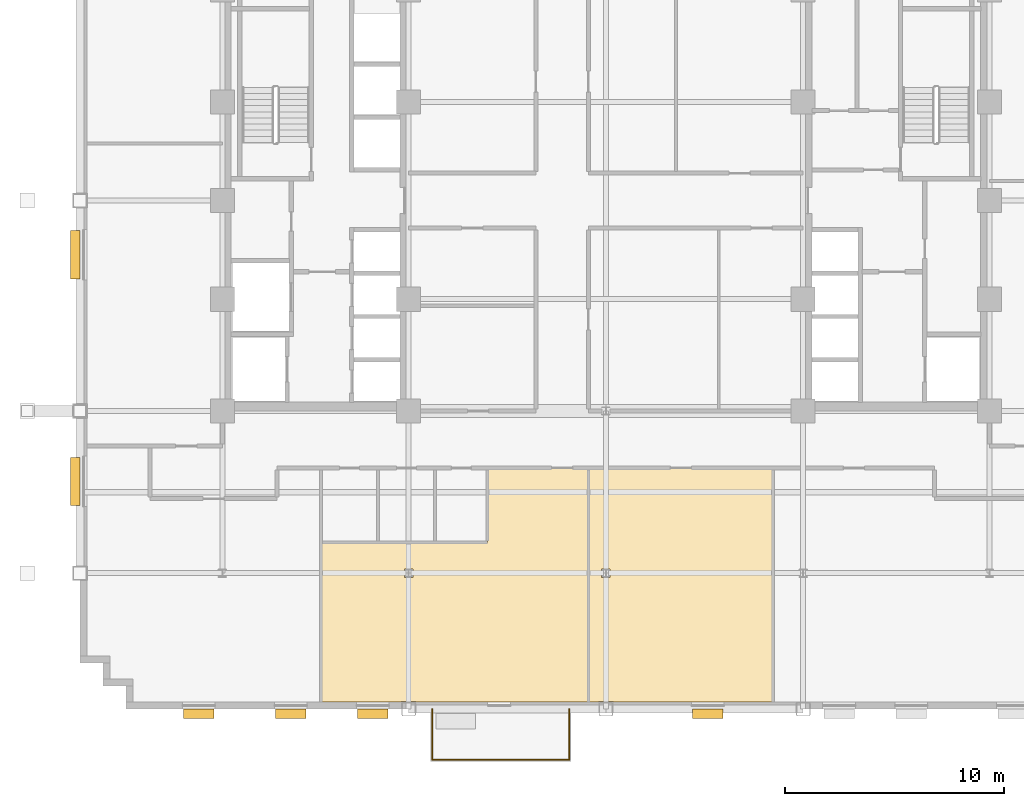
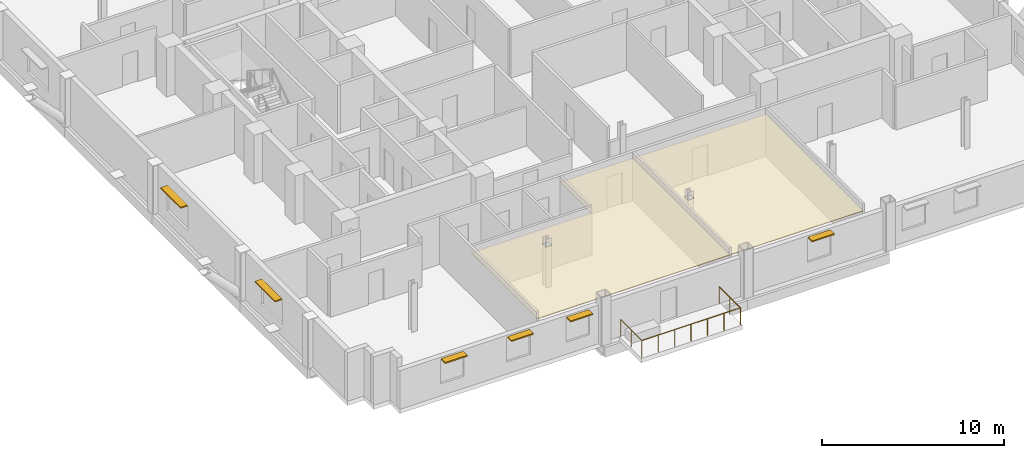
# One storey, part 11 of 14: 6 shading devices, 2 coverings, 1 railing.
"""IFC4 building model written with IfcOpenShell, lengths in metres."""

from ifc_helpers import new_model, si_unit, direction, frame, origin, origin_2d, place, context, subcontext, project, spatial, polyline, rectangle, circle, outline, extrude, source, transform, mapped, material, layer, layer_set, type_object, type_shapes, element, save


model = new_model("IFC4")

# Units and contexts
model_context = context("Model", 3, precision=1e-05, world=origin(), true_north=direction((0.0, 1.0)))
body_context = subcontext(model_context, "Body", "Model", "MODEL_VIEW")
ifc_project = project(units=[si_unit("LENGTHUNIT", "METRE"), si_unit("AREAUNIT", "SQUARE_METRE"), si_unit("VOLUMEUNIT", "CUBIC_METRE"), si_unit("PLANEANGLEUNIT", "RADIAN"), si_unit("MASSUNIT", "GRAM", prefix="KILO")], contexts=[model_context])

# Site, building, storey
site_placement = place(None, origin())
site = spatial("IfcSite", under=ifc_project, at=site_placement, CompositionType="ELEMENT")
building_placement = place(site_placement, origin())
building = spatial("IfcBuilding", under=site, at=building_placement, Name="Nuvemarco Arch Tower", CompositionType="ELEMENT")
storey_placement = place(building_placement, frame((0.0, 0.0, 112.89990234375)))
storey = spatial("IfcBuildingStorey", under=building, at=storey_placement, Name="L29", CompositionType="ELEMENT", Elevation=112.89990234375)

# Coverings
ifc_material_1 = material(Name="Mineral acoustic ceiling tile")
ifc_layer = layer(ifc_material_1, 0.0400390625, Name="COV-ACOUSTIC-CLG")
ifc_layer_set = layer_set([ifc_layer], Name="Mineral acoustic ceiling tile")
covering_type = type_object("IfcCoveringType", Name="COV-ACOUSTIC-CLG", PredefinedType="CEILING", material=ifc_layer_set)
covering_1_placement = place(storey_placement, frame((0.0, 0.0, 2.72998046875)))
element("IfcCovering", 1, at=covering_1_placement, inside=storey, type_object=covering_type, Name="L29 suspended acoustic ceiling 1", PredefinedType="CEILING", context=body_context, shape_type="SweptSolid", body=[
    extrude(outline(polyline([(-5.39990234375, -15.60009765625), (-5.39990234375, -12.199951171875), (-3.199951171875, -12.199951171875), (-0.800048828125, -12.199951171875), (-0.800048828125, -22.8798828125), (-8.659912109375, -22.8798828125), (-8.659912109375, -22.860107421875), (-9.340087890625, -22.860107421875), (-9.340087890625, -22.8798828125), (-13.0, -22.8798828125), (-13.0, -15.60009765625), (-10.39990234375, -15.60009765625), (-7.800048828125, -15.60009765625), (-5.39990234375, -15.60009765625)]), holes=[polyline([(-8.804931640625, -17.195068359375), (-8.804931640625, -16.804931640625), (-9.195068359375, -16.804931640625), (-9.195068359375, -17.195068359375), (-8.804931640625, -17.195068359375)])]), origin(), (0.0, 0.0, 1.0), 0.0400390625),
])
covering_2_placement = place(storey_placement, frame((0.0, 0.0, 2.72998046875)))
element("IfcCovering", 2, at=covering_2_placement, inside=storey, type_object=covering_type, Name="L29 suspended acoustic ceiling 2", PredefinedType="CEILING", context=body_context, shape_type="SweptSolid", body=[
    extrude(outline(polyline([(0.340087890625, -22.8798828125), (0.340087890625, -22.860107421875), (-0.340087890625, -22.860107421875), (-0.340087890625, -22.8798828125), (-0.800048828125, -22.8798828125), (-0.800048828125, -12.199951171875), (7.6298828125, -12.199951171875), (7.6298828125, -22.8798828125), (0.340087890625, -22.8798828125)]), holes=[polyline([(0.195068359375, -17.195068359375), (0.195068359375, -16.804931640625), (-0.195068359375, -16.804931640625), (-0.195068359375, -17.195068359375), (0.195068359375, -17.195068359375)])]), origin(), (0.0, 0.0, 1.0), 0.0400390625),
])

# Railing
ifc_material_2 = material(Name="Dark anodised balustrade steel S355", Category="steel")
railing_type = type_object("IfcRailingType", Name="RL-TERR-GUARD", PredefinedType="BALUSTRADE", material=ifc_material_2)
railing_placement = place(storey_placement, frame((-7.919921875, -23.199951171875, 0.0)))
element("IfcRailing", 3, at=railing_placement, inside=storey, type_object=railing_type, Name="L29 spiral terrace perimeter balustrade guard", PredefinedType="BALUSTRADE", context=body_context, shape_type="SweptSolid", body=[
    extrude(circle(Radius=0.02392578125, at=origin_2d()), frame((0.0, 0.0, 1.1259765625), z_axis=(0.0, -1.0, 0.0), x_axis=(1.0, 0.0, 0.0)), (0.0, 0.0, 1.0), 2.320068359375),
    extrude(circle(Radius=0.02392578125, at=origin_2d()), frame((0.0, -2.320068359375, 1.1259765625), z_axis=(1.0, 0.0, 0.0), x_axis=(0.0, 1.0, 0.0)), (0.0, 0.0, 1.0), 6.239990234375),
    extrude(circle(Radius=0.02392578125, at=origin_2d()), frame((6.239990234375, -2.320068359375, 1.1259765625), z_axis=(0.0, 1.0, 0.0), x_axis=(-1.0, 0.0, 0.0)), (0.0, 0.0, 1.0), 2.320068359375),
    extrude(circle(Radius=0.02099609375, at=origin_2d()), origin(), (0.0, 0.0, 1.0), 1.101806640625),
    extrude(circle(Radius=0.02099609375, at=origin_2d()), frame((0.0, -1.16015625, 0.0)), (0.0, 0.0, 1.0), 1.101806640625),
    extrude(circle(Radius=0.02099609375, at=origin_2d()), frame((0.0, -2.320068359375, 0.0)), (0.0, 0.0, 1.0), 1.101806640625),
    extrude(circle(Radius=0.02099609375, at=origin_2d()), frame((1.0400390625, -2.320068359375, 0.0)), (0.0, 0.0, 1.0), 1.101806640625),
    extrude(circle(Radius=0.02099609375, at=origin_2d()), frame((2.080078125, -2.320068359375, 0.0)), (0.0, 0.0, 1.0), 1.101806640625),
    extrude(circle(Radius=0.02099609375, at=origin_2d()), frame((3.1201171875, -2.320068359375, 0.0)), (0.0, 0.0, 1.0), 1.101806640625),
    extrude(circle(Radius=0.02099609375, at=origin_2d()), frame((4.159912109375, -2.320068359375, 0.0)), (0.0, 0.0, 1.0), 1.101806640625),
    extrude(circle(Radius=0.02099609375, at=origin_2d()), frame((5.199951171875, -2.320068359375, 0.0)), (0.0, 0.0, 1.0), 1.101806640625),
    extrude(circle(Radius=0.02099609375, at=origin_2d()), frame((6.239990234375, -2.320068359375, 0.0)), (0.0, 0.0, 1.0), 1.101806640625),
    extrude(circle(Radius=0.02099609375, at=origin_2d()), frame((6.239990234375, -1.16015625, 0.0)), (0.0, 0.0, 1.0), 1.101806640625),
    extrude(circle(Radius=0.02099609375, at=origin_2d()), frame((6.239990234375, 0.0, 0.0)), (0.0, 0.0, 1.0), 1.101806640625),
])

# Shading devices
ifc_material_3 = material(Name="Anodised aluminium 6063-T6", Category="aluminium")
shading_device_type_1 = type_object("IfcShadingDeviceType", Name="SHD-BRISE-SOLEIL", PredefinedType="USERDEFINED", material=ifc_material_3)
shared_shape_1 = source(origin(), body_context, "Body", "SweptSolid", [
    extrude(rectangle(XDim=2.199951171875, YDim=0.449951171875, at=origin_2d()), origin(), (0.0, 0.0, 1.0), 0.080078125),
])
type_shapes(shading_device_type_1, [shared_shape_1])
for number, where, z_axis, x_axis, name in (
    (4, (-24.215087890625, -12.81494140625, 2.425048828125), (0.0, 0.0, 1.0), (0.0, 1.0, 0.0), "L29 horizontal brise-soleil sunshade"),
    (5, (-24.215087890625, -2.472900390625, 2.425048828125), (0.0, 0.0, 1.0), (0.0, 1.0, 0.0), "L29 horizontal brise-soleil sunshade"),
):
    element("IfcShadingDevice", number, at=place(storey_placement, frame(where, z_axis=z_axis, x_axis=x_axis)), inside=storey, type_object=shading_device_type_1, Name=name, ObjectType="SUNSHADE", PredefinedType="USERDEFINED", context=body_context, shape_type="MappedRepresentation", body=[
        mapped(shared_shape_1, transform((0.0, 0.0, 0.0), scale=1.0)),
    ])
shading_device_type_2 = type_object("IfcShadingDeviceType", Name="SHD-BRISE-NARROW", PredefinedType="USERDEFINED", material=ifc_material_3)
shared_shape_2 = source(origin(), body_context, "Body", "SweptSolid", [
    extrude(rectangle(XDim=1.39990234375, YDim=0.449951171875, at=origin_2d()), origin(), (0.0, 0.0, 1.0), 0.080078125),
])
type_shapes(shading_device_type_2, [shared_shape_2])
for number, where, z_axis, x_axis, name in (
    (6, (-18.577880859375, -23.4150390625, 2.405029296875), (0.0, 0.0, 1.0), (1.0, 0.0, 0.0), "L29 horizontal brise-soleil sunshade"),
    (7, (-14.38330078125, -23.4150390625, 2.405029296875), (0.0, 0.0, 1.0), (1.0, 0.0, 0.0), "L29 horizontal brise-soleil sunshade"),
    (8, (-10.638916015625, -23.4150390625, 2.405029296875), (0.0, 0.0, 1.0), (1.0, 0.0, 0.0), "L29 horizontal brise-soleil sunshade"),
    (9, (4.644287109375, -23.4150390625, 2.405029296875), (0.0, 0.0, 1.0), (1.0, 0.0, 0.0), "L29 horizontal brise-soleil sunshade"),
):
    element("IfcShadingDevice", number, at=place(storey_placement, frame(where, z_axis=z_axis, x_axis=x_axis)), inside=storey, type_object=shading_device_type_2, Name=name, ObjectType="SUNSHADE", PredefinedType="USERDEFINED", context=body_context, shape_type="MappedRepresentation", body=[
        mapped(shared_shape_2, transform((0.0, 0.0, 0.0), scale=1.0)),
    ])

save(model, "model.ifc")
